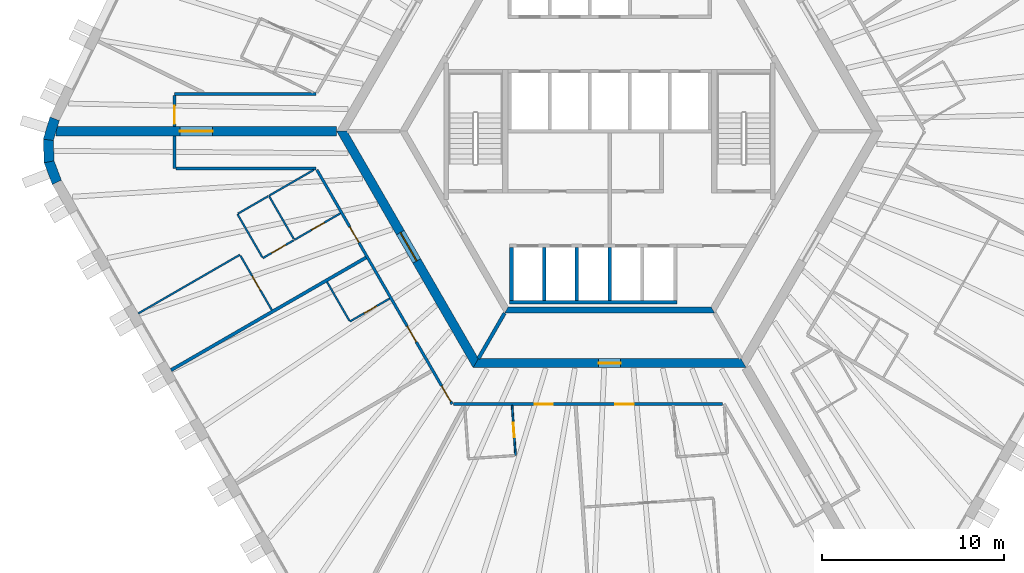
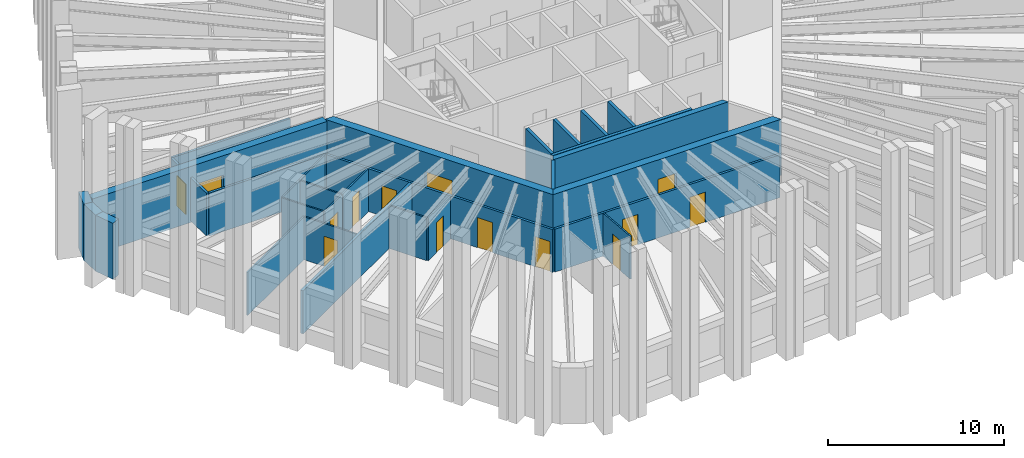
# One storey, part 3 of 10: 31 walls, 14 doors, 14 openings.
"""IFC4 building model written with IfcOpenShell, lengths in metres."""

from ifc_helpers import new_model, si_unit, direction, frame, frame_2d, origin, place, context, subcontext, project, spatial, polyline, rectangle, outline, extrude, material, layer, layer_set, type_object, element, fill, save


model = new_model("IFC4")

# Units and contexts
model_context = context("Model", 3, precision=1e-05, world=origin(), true_north=direction((0.0, 1.0)))
body_context = subcontext(model_context, "Body", "Model", "MODEL_VIEW")
ifc_project = project(units=[si_unit("LENGTHUNIT", "METRE"), si_unit("AREAUNIT", "SQUARE_METRE"), si_unit("VOLUMEUNIT", "CUBIC_METRE"), si_unit("PLANEANGLEUNIT", "RADIAN"), si_unit("MASSUNIT", "GRAM", prefix="KILO")], contexts=[model_context])

# Site, building, storey
site_placement = place(None, origin())
site = spatial("IfcSite", under=ifc_project, at=site_placement, CompositionType="ELEMENT")
building_placement = place(site_placement, origin())
building = spatial("IfcBuilding", under=site, at=building_placement, Name="Tarnside Tower", CompositionType="ELEMENT")
storey_placement = place(building_placement, frame((0.0, 0.0, 164.39990234375)))
storey = spatial("IfcBuildingStorey", under=building, at=storey_placement, Name="L38", CompositionType="ELEMENT", Elevation=164.39990234375)

# Wall
ifc_material_1 = material(Name="Gypsum board partition on steel studs", Category="steel")
ifc_layer_1 = layer(ifc_material_1, 0.10009765625)
ifc_layer_set_1 = layer_set([ifc_layer_1], Name="Bathroom wall 100")
wall_type_1 = type_object("IfcWallType", Name="Bathroom wall 100", PredefinedType="PARTITIONING", material=ifc_layer_set_1)
wall_1_placement = place(storey_placement, frame((-18.735107421875, -3.550048828125, 0.0), z_axis=(0.0, 0.0, 1.0), x_axis=(0.866025820012, 0.499999279071, 0.0)))
element("IfcWall", 1, at=wall_1_placement, inside=storey, type_object=wall_type_1, Name="Bathroom wall 12061", PredefinedType="PARTITIONING", context=body_context, shape_type="SweptSolid", body=[
    extrude(rectangle(XDim=2.85009765625, YDim=0.10009765625, at=frame_2d((1.425048828125, 0.0))), origin(), (0.0, 0.0, 1.0), 2.98779296875),
])

# Wall, opening, door
wall_2_placement = place(storey_placement, frame((-14.802001953125, -4.512451171875, 0.0), z_axis=(0.0, 0.0, 1.0), x_axis=(-0.866025730634, -0.499999433879, 0.0)))
wall_2 = element("IfcWall", 2, at=wall_2_placement, inside=storey, type_object=wall_type_1, Name="Bathroom wall 12062", PredefinedType="PARTITIONING", context=body_context, shape_type="SweptSolid", body=[
    extrude(rectangle(XDim=2.9248046875, YDim=0.10009765625, at=frame_2d((1.46240234375, 0.0))), origin(), (0.0, 0.0, 1.0), 2.98779296875),
])
opening_1_placement = place(wall_2_placement, frame((1.02490234375, 0.0, 0.0)))
opening_1 = element("IfcOpeningElement", 3, at=opening_1_placement, cuts=wall_2, Name="Opening D-B1", PredefinedType="OPENING", context=body_context, shape_type="SweptSolid", body=[
    extrude(rectangle(XDim=0.800048828125, YDim=2.10009765625, at=frame_2d((0.39990234375, 1.050048828125))), frame((0.0, 0.06005859375, 0.0), z_axis=(0.0, -1.0, 0.0), x_axis=(1.0, 0.0, 0.0)), (0.0, 0.0, 1.0), 0.1201171875),
])
ifc_material_2 = material(Name="Timber door leaf", Category="wood")
door_type_1 = type_object("IfcDoorType", Name="Bathroom door 800", OperationType="NOTDEFINED", PredefinedType="DOOR", material=ifc_material_2)
door_1_placement = place(opening_1_placement, origin())
door_1 = element("IfcDoor", 4, at=door_1_placement, inside=storey, type_object=door_type_1, Name="Bathroom door 12011", OperationType="SINGLE_SWING_RIGHT", OverallHeight=2.10009765625, OverallWidth=0.800048828125, PredefinedType="DOOR", context=body_context, shape_type="SweptSolid", body=[
    extrude(rectangle(XDim=0.800048828125, YDim=2.10009765625, at=frame_2d((0.39990234375, 1.050048828125))), frame((0.0, 0.02490234375, 0.0), z_axis=(0.0, -1.0, 0.0), x_axis=(1.0, 0.0, 0.0)), (0.0, 0.0, 1.0), 0.050048828125),
])
fill(opening_1, door_1)

# Wall
wall_3_placement = place(storey_placement, frame((-18.7099609375, -3.59326171875, 0.0), z_axis=(0.0, 0.0, 1.0), x_axis=(0.4999416173, -0.866059108428, 0.0)))
element("IfcWall", 5, at=wall_3_placement, inside=storey, type_object=wall_type_1, Name="Bathroom wall 12070", PredefinedType="PARTITIONING", context=body_context, shape_type="SweptSolid", body=[
    extrude(rectangle(XDim=2.699951171875, YDim=0.10009765625, at=frame_2d((1.35009765625, 0.0))), origin(), (0.0, 0.0, 1.0), 2.98779296875),
])

# Wall, opening, door
wall_4_placement = place(storey_placement, frame((-12.096435546875, -9.198486328125, 0.0), z_axis=(0.0, 0.0, 1.0), x_axis=(-0.866039067339, -0.499976333282, 0.0)))
wall_4 = element("IfcWall", 6, at=wall_4_placement, inside=storey, type_object=wall_type_1, Name="Bathroom wall 12072", PredefinedType="PARTITIONING", context=body_context, shape_type="SweptSolid", body=[
    extrude(rectangle(XDim=2.52490234375, YDim=0.10009765625, at=frame_2d((1.262451171875, 0.0))), origin(), (0.0, 0.0, 1.0), 2.98779296875),
])
opening_2_placement = place(wall_4_placement, frame((0.824951171875, 0.0, 0.0)))
opening_2 = element("IfcOpeningElement", 7, at=opening_2_placement, cuts=wall_4, Name="Opening D-B1", PredefinedType="OPENING", context=body_context, shape_type="SweptSolid", body=[
    extrude(rectangle(XDim=0.800048828125, YDim=2.10009765625, at=frame_2d((0.39990234375, 1.050048828125))), frame((0.0, 0.06005859375, 0.0), z_axis=(0.0, -1.0, 0.0), x_axis=(1.0, 0.0, 0.0)), (0.0, 0.0, 1.0), 0.1201171875),
])
door_2_placement = place(opening_2_placement, origin())
door_2 = element("IfcDoor", 8, at=door_2_placement, inside=storey, type_object=door_type_1, Name="Bathroom door 12015", OperationType="SINGLE_SWING_RIGHT", OverallHeight=2.10009765625, OverallWidth=0.800048828125, PredefinedType="DOOR", context=body_context, shape_type="SweptSolid", body=[
    extrude(rectangle(XDim=0.800048828125, YDim=2.10009765625, at=frame_2d((0.39990234375, 1.050048828125))), frame((0.0, 0.02490234375, 0.0), z_axis=(0.0, -1.0, 0.0), x_axis=(1.0, 0.0, 0.0)), (0.0, 0.0, 1.0), 0.050048828125),
])
fill(opening_2, door_2)

# Wall
wall_5_placement = place(storey_placement, frame((-14.30810546875, -10.417724609375, 0.0), z_axis=(0.0, 0.0, 1.0), x_axis=(-0.499960120811, 0.86604842682, 0.0)))
element("IfcWall", 9, at=wall_5_placement, inside=storey, type_object=wall_type_1, Name="Bathroom wall 12073", PredefinedType="PARTITIONING", context=body_context, shape_type="SweptSolid", body=[
    extrude(rectangle(XDim=2.460205078125, YDim=0.10009765625, at=frame_2d((1.22998046875, 0.0))), origin(), (0.0, 0.0, 1.0), 2.98779296875),
])

# Wall, opening, door
wall_6_placement = place(storey_placement, frame((-5.364013671875, -15.074951171875, 0.0), z_axis=(0.0, 0.0, 1.0), x_axis=(0.06972333312, -0.997566367125, 0.0)))
wall_6 = element("IfcWall", 10, at=wall_6_placement, inside=storey, type_object=wall_type_1, Name="Bathroom wall 12076", PredefinedType="PARTITIONING", context=body_context, shape_type="SweptSolid", body=[
    extrude(rectangle(XDim=2.755615234375, YDim=0.10009765625, at=frame_2d((1.3779296875, 0.0))), origin(), (0.0, 0.0, 1.0), 2.98779296875),
])
opening_3_placement = place(wall_6_placement, frame((0.955810546875, 0.0, 0.0)))
opening_3 = element("IfcOpeningElement", 11, at=opening_3_placement, cuts=wall_6, Name="Opening D-B1", PredefinedType="OPENING", context=body_context, shape_type="SweptSolid", body=[
    extrude(rectangle(XDim=0.800048828125, YDim=2.10009765625, at=frame_2d((0.39990234375, 1.050048828125))), frame((0.0, 0.06005859375, 0.0), z_axis=(0.0, -1.0, 0.0), x_axis=(1.0, 0.0, 0.0)), (0.0, 0.0, 1.0), 0.1201171875),
])
door_3_placement = place(opening_3_placement, origin())
door_3 = element("IfcDoor", 12, at=door_3_placement, inside=storey, type_object=door_type_1, Name="Bathroom door 12018", OperationType="SINGLE_SWING_LEFT", OverallHeight=2.10009765625, OverallWidth=0.800048828125, PredefinedType="DOOR", context=body_context, shape_type="SweptSolid", body=[
    extrude(rectangle(XDim=0.800048828125, YDim=2.10009765625, at=frame_2d((0.39990234375, 1.050048828125))), frame((0.0, 0.02490234375, 0.0), z_axis=(0.0, -1.0, 0.0), x_axis=(1.0, 0.0, 0.0)), (0.0, 0.0, 1.0), 0.050048828125),
])
fill(opening_3, door_3)

# Wall
ifc_material_3 = material(Name="Concrete C50/60", Category="concrete")
ifc_layer_2 = layer(ifc_material_3, 0.35009765625)
ifc_layer_set_2 = layer_set([ifc_layer_2], Name="Core block wall 350 C50/60")
wall_type_2 = type_object("IfcWallType", Name="Core block wall 350 C50/60", PredefinedType="SHEAR", material=ifc_layer_set_2)
wall_7_placement = place(storey_placement, frame((-5.672607421875, -9.824951171875, -0.14990234375), z_axis=(0.0, 0.0, 1.0), x_axis=(1.0, 0.0, 0.0)))
element("IfcWall", 13, at=wall_7_placement, inside=storey, type_object=wall_type_2, Name="L38 core block wall face 4", PredefinedType="SHEAR", context=body_context, shape_type="SweptSolid", body=[
    extrude(outline(polyline([(-0.10107421875, -0.175048828125), (11.4462890625, -0.175048828125), (11.244140625, 0.175048828125), (0.10107421875, 0.175048828125), (-0.10107421875, -0.175048828125)])), origin(), (0.0, 0.0, 1.0), 3.89990234375),
])

# Wall, opening, door
ifc_material_4 = material(Name="Concrete C70/85", Category="concrete")
ifc_layer_3 = layer(ifc_material_4, 0.5)
ifc_layer_set_3 = layer_set([ifc_layer_3], Name="Core wall Z2 500 C70/85")
wall_type_3 = type_object("IfcWallType", Name="Core wall Z2 500 C70/85", PredefinedType="SHEAR", material=ifc_layer_set_3)
wall_8_placement = place(storey_placement, frame((-14.722412109375, 0.0, -0.14990234375), z_axis=(0.0, 0.0, 1.0), x_axis=(0.50000571537, -0.866022103989, 0.0)))
wall_8 = element("IfcWall", 14, at=wall_8_placement, inside=storey, type_object=wall_type_3, Name="L38 core wall face 3", PredefinedType="SHEAR", context=body_context, shape_type="SweptSolid", body=[
    extrude(outline(polyline([(-0.144287109375, -0.25), (14.86669921875, -0.25), (14.578125, 0.25), (0.144287109375, 0.25), (-0.144287109375, -0.25)])), origin(), (0.0, 0.0, 1.0), 3.89990234375),
])
opening_4_placement = place(wall_8_placement, frame((6.432373046875, 0.0, 0.14990234375)))
opening_4 = element("IfcOpeningElement", 15, at=opening_4_placement, cuts=wall_8, Name="Opening CD-FFL", PredefinedType="OPENING", context=body_context, shape_type="SweptSolid", body=[
    extrude(rectangle(XDim=1.800048828125, YDim=2.39990234375, at=frame_2d((0.89990234375, 1.199951171875))), frame((0.0, 0.260009765625, 0.0), z_axis=(0.0, -1.0, 0.0), x_axis=(1.0, 0.0, 0.0)), (0.0, 0.0, 1.0), 0.52001953125),
])
ifc_material_5 = material(Name="Steel fire door", Category="steel")
door_type_2 = type_object("IfcDoorType", Name="Firefighting lobby double door FD60S 1800x2400", OperationType="NOTDEFINED", PredefinedType="DOOR", material=ifc_material_5)
door_4_placement = place(opening_4_placement, origin())
door_4 = element("IfcDoor", 16, at=door_4_placement, inside=storey, type_object=door_type_2, Name="L38 core door P3", OperationType="DOUBLE_DOOR_SINGLE_SWING", OverallHeight=2.39990234375, OverallWidth=1.800048828125, PredefinedType="DOOR", context=body_context, shape_type="SweptSolid", body=[
    extrude(rectangle(XDim=1.800048828125, YDim=2.39990234375, at=frame_2d((0.89990234375, 1.199951171875))), frame((0.0, 0.02490234375, 0.0), z_axis=(0.0, -1.0, 0.0), x_axis=(1.0, 0.0, 0.0)), (0.0, 0.0, 1.0), 0.050048828125),
])
fill(opening_4, door_4)

wall_9_placement = place(storey_placement, frame((-7.361083984375, -12.75, -0.14990234375), z_axis=(0.0, 0.0, 1.0), x_axis=(1.0, 0.0, 0.0)))
wall_9 = element("IfcWall", 17, at=wall_9_placement, inside=storey, type_object=wall_type_3, Name="L38 core wall face 4", PredefinedType="SHEAR", context=body_context, shape_type="SweptSolid", body=[
    extrude(outline(polyline([(-0.144287109375, -0.25), (14.866455078125, -0.25), (14.577880859375, 0.25), (0.144287109375, 0.25), (-0.144287109375, -0.25)])), origin(), (0.0, 0.0, 1.0), 3.89990234375),
])
opening_5_placement = place(wall_9_placement, frame((6.76123046875, 0.0, 0.14990234375)))
opening_5 = element("IfcOpeningElement", 18, at=opening_5_placement, cuts=wall_9, Name="Opening CD-RSR", PredefinedType="OPENING", context=body_context, shape_type="SweptSolid", body=[
    extrude(rectangle(XDim=1.199951171875, YDim=2.39990234375, at=frame_2d((0.60009765625, 1.199951171875))), frame((0.0, 0.260009765625, 0.0), z_axis=(0.0, -1.0, 0.0), x_axis=(1.0, 0.0, 0.0)), (0.0, 0.0, 1.0), 0.52001953125),
])
door_type_3 = type_object("IfcDoorType", Name="Riser door FD60 1200x2400", OperationType="NOTDEFINED", PredefinedType="DOOR", material=ifc_material_5)
door_5_placement = place(opening_5_placement, origin())
door_5 = element("IfcDoor", 19, at=door_5_placement, inside=storey, type_object=door_type_3, Name="L38 core door S6", OperationType="SINGLE_SWING_LEFT", OverallHeight=2.39990234375, OverallWidth=1.199951171875, PredefinedType="DOOR", context=body_context, shape_type="SweptSolid", body=[
    extrude(rectangle(XDim=1.199951171875, YDim=2.39990234375, at=frame_2d((0.60009765625, 1.199951171875))), frame((0.0, 0.02490234375, 0.0), z_axis=(0.0, -1.0, 0.0), x_axis=(1.0, 0.0, 0.0)), (0.0, 0.0, 1.0), 0.050048828125),
])
fill(opening_5, door_5)

wall_10_placement = place(storey_placement, frame((-15.010986328125, 0.0, -0.14990234375), z_axis=(0.0, 0.0, 1.0), x_axis=(-1.0, 0.0, 0.0)))
wall_10 = element("IfcWall", 20, at=wall_10_placement, inside=storey, type_object=wall_type_3, Name="L38 spine wall 2", PredefinedType="SHEAR", context=body_context, shape_type="SweptSolid", body=[
    extrude(rectangle(XDim=15.423828125, YDim=0.5, at=frame_2d((7.7119140625, 0.0))), origin(), (0.0, 0.0, 1.0), 3.89990234375),
])
opening_6_placement = place(wall_10_placement, frame((6.811767578125, 0.0, 0.14990234375)))
opening_6 = element("IfcOpeningElement", 21, at=opening_6_placement, cuts=wall_10, Name="Opening CD-SPN", PredefinedType="OPENING", context=body_context, shape_type="SweptSolid", body=[
    extrude(rectangle(XDim=1.800048828125, YDim=2.39990234375, at=frame_2d((0.89990234375, 1.199951171875))), frame((0.0, 0.260009765625, 0.0), z_axis=(0.0, -1.0, 0.0), x_axis=(1.0, 0.0, 0.0)), (0.0, 0.0, 1.0), 0.52001953125),
])
door_type_4 = type_object("IfcDoorType", Name="Spine passage double door FD60 1800x2400", OperationType="NOTDEFINED", PredefinedType="DOOR", material=ifc_material_5)
door_6_placement = place(opening_6_placement, origin())
door_6 = element("IfcDoor", 22, at=door_6_placement, inside=storey, type_object=door_type_4, Name="L38 spine passage door 2", OperationType="DOUBLE_DOOR_SINGLE_SWING", OverallHeight=2.39990234375, OverallWidth=1.800048828125, PredefinedType="DOOR", context=body_context, shape_type="SweptSolid", body=[
    extrude(rectangle(XDim=1.800048828125, YDim=2.39990234375, at=frame_2d((0.89990234375, 1.199951171875))), frame((0.0, 0.02490234375, 0.0), z_axis=(0.0, -1.0, 0.0), x_axis=(1.0, 0.0, 0.0)), (0.0, 0.0, 1.0), 0.050048828125),
])
fill(opening_6, door_6)

# Wall
ifc_layer_4 = layer(ifc_material_1, 0.14990234375)
ifc_layer_set_4 = layer_set([ifc_layer_4], Name="Corridor wall 150 EI 60")
wall_type_4 = type_object("IfcWallType", Name="Corridor wall 150 EI 60", PredefinedType="PARTITIONING", material=ifc_layer_set_4)
wall_11_placement = place(storey_placement, frame((-16.136962890625, 2.050048828125, 0.0), z_axis=(0.0, 0.0, 1.0), x_axis=(-1.0, 0.0, 0.0)))
element("IfcWall", 23, at=wall_11_placement, inside=storey, type_object=wall_type_4, Name="Corridor wall 12009", PredefinedType="PARTITIONING", context=body_context, shape_type="SweptSolid", body=[
    extrude(rectangle(XDim=7.785888671875, YDim=0.14990234375, at=frame_2d((3.89306640625, 0.0))), origin(), (0.0, 0.0, 1.0), 2.98779296875),
])

# Wall, opening, door
wall_12_placement = place(storey_placement, frame((-23.9228515625, 1.97509765625, 0.0), z_axis=(0.0, 0.0, 1.0), x_axis=(0.0, -1.0, 0.0)))
wall_12 = element("IfcWall", 24, at=wall_12_placement, inside=storey, type_object=wall_type_4, Name="Corridor wall 12013", PredefinedType="PARTITIONING", context=body_context, shape_type="SweptSolid", body=[
    extrude(rectangle(XDim=1.72509765625, YDim=0.14990234375, at=frame_2d((0.862548828125, 0.0))), origin(), (0.0, 0.0, 1.0), 2.98779296875),
])
opening_7_placement = place(wall_12_placement, frame((0.574951171875, 0.0, 0.0)))
opening_7 = element("IfcOpeningElement", 25, at=opening_7_placement, cuts=wall_12, Name="Opening D-E1", PredefinedType="OPENING", context=body_context, shape_type="SweptSolid", body=[
    extrude(rectangle(XDim=1.0, YDim=2.10009765625, at=frame_2d((0.5, 1.050048828125))), frame((0.0, 0.0849609375, 0.0), z_axis=(0.0, -1.0, 0.0), x_axis=(1.0, 0.0, 0.0)), (0.0, 0.0, 1.0), 0.169921875),
])
door_type_5 = type_object("IfcDoorType", Name="Unit entrance door 1000 FD30S", OperationType="NOTDEFINED", PredefinedType="DOOR", material=ifc_material_2)
door_7_placement = place(opening_7_placement, origin())
door_7 = element("IfcDoor", 26, at=door_7_placement, inside=storey, type_object=door_type_5, Name="Unit door 12009", OperationType="SINGLE_SWING_LEFT", OverallHeight=2.10009765625, OverallWidth=1.0, PredefinedType="DOOR", context=body_context, shape_type="SweptSolid", body=[
    extrude(rectangle(XDim=1.0, YDim=2.10009765625, at=frame_2d((0.5, 1.050048828125))), frame((0.0, 0.02490234375, 0.0), z_axis=(0.0, -1.0, 0.0), x_axis=(1.0, 0.0, 0.0)), (0.0, 0.0, 1.0), 0.050048828125),
])
fill(opening_7, door_7)

# Walls
wall_13_placement = place(storey_placement, frame((-23.9228515625, -0.25, 0.0), z_axis=(0.0, 0.0, 1.0), x_axis=(0.0, -1.0, 0.0)))
element("IfcWall", 27, at=wall_13_placement, inside=storey, type_object=wall_type_4, Name="Corridor wall 12014", PredefinedType="PARTITIONING", context=body_context, shape_type="SweptSolid", body=[
    extrude(rectangle(XDim=1.800048828125, YDim=0.14990234375, at=frame_2d((0.89990234375, 0.0))), origin(), (0.0, 0.0, 1.0), 2.98779296875),
])
wall_14_placement = place(storey_placement, frame((-23.847900390625, -2.050048828125, 0.0), z_axis=(0.0, 0.0, 1.0), x_axis=(1.0, 0.0, 0.0)))
element("IfcWall", 28, at=wall_14_placement, inside=storey, type_object=wall_type_4, Name="Corridor wall 12015", PredefinedType="PARTITIONING", context=body_context, shape_type="SweptSolid", body=[
    extrude(rectangle(XDim=7.7109375, YDim=0.14990234375, at=frame_2d((3.85546875, 0.0))), origin(), (0.0, 0.0, 1.0), 2.98779296875),
])

# Wall, openings, doors
wall_15_placement = place(storey_placement, frame((-16.09375, -2.125, 0.0), z_axis=(0.0, 0.0, 1.0), x_axis=(0.500010545262, -0.866019315389, 0.0)))
wall_15 = element("IfcWall", 29, at=wall_15_placement, inside=storey, type_object=wall_type_4, Name="Corridor wall 12016", PredefinedType="PARTITIONING", context=body_context, shape_type="SweptSolid", body=[
    extrude(rectangle(XDim=14.866943359375, YDim=0.14990234375, at=frame_2d((7.43359375, 0.0))), origin(), (0.0, 0.0, 1.0), 2.98779296875),
])
opening_8_placement = place(wall_15_placement, frame((3.618896484375, 0.0, 0.0)))
opening_8 = element("IfcOpeningElement", 30, at=opening_8_placement, cuts=wall_15, Name="Opening D-E1", PredefinedType="OPENING", context=body_context, shape_type="SweptSolid", body=[
    extrude(rectangle(XDim=1.0, YDim=2.10009765625, at=frame_2d((0.5, 1.050048828125))), frame((0.0, 0.0849609375, 0.0), z_axis=(0.0, -1.0, 0.0), x_axis=(1.0, 0.0, 0.0)), (0.0, 0.0, 1.0), 0.169921875),
])
opening_9_placement = place(wall_15_placement, frame((9.92431640625, 0.0, 0.0)))
opening_9 = element("IfcOpeningElement", 31, at=opening_9_placement, cuts=wall_15, Name="Opening D-E1", PredefinedType="OPENING", context=body_context, shape_type="SweptSolid", body=[
    extrude(rectangle(XDim=1.0, YDim=2.10009765625, at=frame_2d((0.5, 1.050048828125))), frame((0.0, 0.0849609375, 0.0), z_axis=(0.0, -1.0, 0.0), x_axis=(1.0, 0.0, 0.0)), (0.0, 0.0, 1.0), 0.169921875),
])
opening_10_placement = place(wall_15_placement, frame((13.716796875, 0.0, 0.0)))
opening_10 = element("IfcOpeningElement", 32, at=opening_10_placement, cuts=wall_15, Name="Opening D-E1", PredefinedType="OPENING", context=body_context, shape_type="SweptSolid", body=[
    extrude(rectangle(XDim=1.0, YDim=2.10009765625, at=frame_2d((0.5, 1.050048828125))), frame((0.0, 0.0849609375, 0.0), z_axis=(0.0, -1.0, 0.0), x_axis=(1.0, 0.0, 0.0)), (0.0, 0.0, 1.0), 0.169921875),
])
door_8_placement = place(opening_8_placement, origin())
door_8 = element("IfcDoor", 33, at=door_8_placement, inside=storey, type_object=door_type_5, Name="Unit door 12010", OperationType="SINGLE_SWING_RIGHT", OverallHeight=2.10009765625, OverallWidth=1.0, PredefinedType="DOOR", context=body_context, shape_type="SweptSolid", body=[
    extrude(rectangle(XDim=1.0, YDim=2.10009765625, at=frame_2d((0.5, 1.050048828125))), frame((0.0, 0.02490234375, 0.0), z_axis=(0.0, -1.0, 0.0), x_axis=(1.0, 0.0, 0.0)), (0.0, 0.0, 1.0), 0.050048828125),
])
fill(opening_8, door_8)
door_9_placement = place(opening_9_placement, origin())
door_9 = element("IfcDoor", 34, at=door_9_placement, inside=storey, type_object=door_type_5, Name="Unit door 12014", OperationType="SINGLE_SWING_RIGHT", OverallHeight=2.10009765625, OverallWidth=1.0, PredefinedType="DOOR", context=body_context, shape_type="SweptSolid", body=[
    extrude(rectangle(XDim=1.0, YDim=2.10009765625, at=frame_2d((0.5, 1.050048828125))), frame((0.0, 0.02490234375, 0.0), z_axis=(0.0, -1.0, 0.0), x_axis=(1.0, 0.0, 0.0)), (0.0, 0.0, 1.0), 0.050048828125),
])
fill(opening_9, door_9)
door_10_placement = place(opening_10_placement, origin())
door_10 = element("IfcDoor", 35, at=door_10_placement, inside=storey, type_object=door_type_5, Name="Unit door 12016", OperationType="SINGLE_SWING_LEFT", OverallHeight=2.10009765625, OverallWidth=1.0, PredefinedType="DOOR", context=body_context, shape_type="SweptSolid", body=[
    extrude(rectangle(XDim=1.0, YDim=2.10009765625, at=frame_2d((0.5, 1.050048828125))), frame((0.0, 0.02490234375, 0.0), z_axis=(0.0, -1.0, 0.0), x_axis=(1.0, 0.0, 0.0)), (0.0, 0.0, 1.0), 0.050048828125),
])
fill(opening_10, door_10)

wall_16_placement = place(storey_placement, frame((-8.57373046875, -15.0, 0.0), z_axis=(0.0, 0.0, 1.0), x_axis=(1.0, 0.0, 0.0)))
wall_16 = element("IfcWall", 36, at=wall_16_placement, inside=storey, type_object=wall_type_4, Name="Corridor wall 12021", PredefinedType="PARTITIONING", context=body_context, shape_type="SweptSolid", body=[
    extrude(rectangle(XDim=14.7802734375, YDim=0.14990234375, at=frame_2d((7.39013671875, 0.0))), origin(), (0.0, 0.0, 1.0), 2.98779296875),
])
opening_11_placement = place(wall_16_placement, frame((4.444580078125, 0.0, 0.0)))
opening_11 = element("IfcOpeningElement", 37, at=opening_11_placement, cuts=wall_16, Name="Opening D-E1", PredefinedType="OPENING", context=body_context, shape_type="SweptSolid", body=[
    extrude(rectangle(XDim=1.0, YDim=2.10009765625, at=frame_2d((0.5, 1.050048828125))), frame((0.0, 0.0849609375, 0.0), z_axis=(0.0, -1.0, 0.0), x_axis=(1.0, 0.0, 0.0)), (0.0, 0.0, 1.0), 0.169921875),
])
opening_12_placement = place(wall_16_placement, frame((8.885498046875, 0.0, 0.0)))
opening_12 = element("IfcOpeningElement", 38, at=opening_12_placement, cuts=wall_16, Name="Opening D-E1", PredefinedType="OPENING", context=body_context, shape_type="SweptSolid", body=[
    extrude(rectangle(XDim=1.0, YDim=2.10009765625, at=frame_2d((0.5, 1.050048828125))), frame((0.0, 0.0849609375, 0.0), z_axis=(0.0, -1.0, 0.0), x_axis=(1.0, 0.0, 0.0)), (0.0, 0.0, 1.0), 0.169921875),
])
door_11_placement = place(opening_11_placement, origin())
door_11 = element("IfcDoor", 39, at=door_11_placement, inside=storey, type_object=door_type_5, Name="Unit door 12017", OperationType="SINGLE_SWING_LEFT", OverallHeight=2.10009765625, OverallWidth=1.0, PredefinedType="DOOR", context=body_context, shape_type="SweptSolid", body=[
    extrude(rectangle(XDim=1.0, YDim=2.10009765625, at=frame_2d((0.5, 1.050048828125))), frame((0.0, 0.02490234375, 0.0), z_axis=(0.0, -1.0, 0.0), x_axis=(1.0, 0.0, 0.0)), (0.0, 0.0, 1.0), 0.050048828125),
])
fill(opening_11, door_11)
door_12_placement = place(opening_12_placement, origin())
door_12 = element("IfcDoor", 40, at=door_12_placement, inside=storey, type_object=door_type_5, Name="Unit door 12019", OperationType="SINGLE_SWING_RIGHT", OverallHeight=2.10009765625, OverallWidth=1.0, PredefinedType="DOOR", context=body_context, shape_type="SweptSolid", body=[
    extrude(rectangle(XDim=1.0, YDim=2.10009765625, at=frame_2d((0.5, 1.050048828125))), frame((0.0, 0.02490234375, 0.0), z_axis=(0.0, -1.0, 0.0), x_axis=(1.0, 0.0, 0.0)), (0.0, 0.0, 1.0), 0.050048828125),
])
fill(opening_12, door_12)

# Walls
ifc_layer_5 = layer(ifc_material_1, 0.179931640625)
ifc_layer_set_5 = layer_set([ifc_layer_5], Name="Demising wall 180 EI 60")
wall_type_5 = type_object("IfcWallType", Name="Demising wall 180 EI 60", PredefinedType="PARTITIONING", material=ifc_layer_set_5)
wall_17_placement = place(storey_placement, frame((-24.113525390625, -13.13427734375, 0.0), z_axis=(0.0, 0.0, 1.0), x_axis=(0.866024931941, 0.500000817256, 0.0)))
element("IfcWall", 41, at=wall_17_placement, inside=storey, type_object=wall_type_5, Name="Demising wall 12068", PredefinedType="PARTITIONING", context=body_context, shape_type="SweptSolid", body=[
    extrude(rectangle(XDim=12.375, YDim=0.179931640625, at=frame_2d((6.1875, 0.0))), origin(), (0.0, 0.0, 1.0), 2.98779296875),
])
ifc_material_6 = material(Name="Concrete C40/50", Category="concrete")
ifc_layer_6 = layer(ifc_material_6, 0.199951171875)
ifc_layer_set_6 = layer_set([ifc_layer_6], Name="Lift shaft wall 200 C40/50")
wall_type_6 = type_object("IfcWallType", Name="Lift shaft wall 200 C40/50", PredefinedType="SHEAR", material=ifc_layer_set_6)
wall_18_placement = place(storey_placement, frame((-5.5, -9.39990234375, -0.25), z_axis=(0.0, 0.0, 1.0), x_axis=(1.0, 0.0, 0.0)))
element("IfcWall", 42, at=wall_18_placement, inside=storey, type_object=wall_type_6, Name="L38 lift shaft back wall R4", PredefinedType="SHEAR", context=body_context, shape_type="SweptSolid", body=[
    extrude(rectangle(XDim=9.199951171875, YDim=0.199951171875, at=frame_2d((4.60009765625, 0.0))), origin(), (0.0, 0.0, 1.0), 3.900146484375),
])
for number, where, z_axis, x_axis, name in (
    (43, (-5.39990234375, -9.300048828125, -0.25), (0.0, 0.0, 1.0), (0.0, 1.0, 0.0), "L38 lift shaft partition R41"),
    (44, (-3.60009765625, -9.300048828125, -0.25), (0.0, 0.0, 1.0), (0.0, 1.0, 0.0), "L38 lift shaft partition R42"),
    (45, (-1.800048828125, -9.300048828125, -0.25), (0.0, 0.0, 1.0), (0.0, 1.0, 0.0), "L38 lift shaft partition R43"),
    (46, (0.0, -9.300048828125, -0.25), (0.0, 0.0, 1.0), (0.0, 1.0, 0.0), "L38 lift shaft partition R44"),
):
    element("IfcWall", number, at=place(storey_placement, frame(where, z_axis=z_axis, x_axis=x_axis)), inside=storey, type_object=wall_type_6, Name=name, PredefinedType="SHEAR", context=body_context, shape_type="SweptSolid", body=[
        extrude(rectangle(XDim=2.900146484375, YDim=0.199951171875, at=frame_2d((1.4501953125, 0.0))), origin(), (0.0, 0.0, 1.0), 3.900146484375),
    ])
wall_19_placement = place(storey_placement, frame((-5.7734375, -10.0, -0.14990234375), z_axis=(0.0, 0.0, 1.0), x_axis=(-0.499995765644, -0.866027848477, 0.0)))
element("IfcWall", 47, at=wall_19_placement, inside=storey, type_object=wall_type_6, Name="L38 core partition AR240", PredefinedType="SHEAR", context=body_context, shape_type="SweptSolid", body=[
    extrude(rectangle(XDim=2.88671875, YDim=0.199951171875, at=frame_2d((1.443359375, 0.0))), origin(), (0.0, 0.0, 1.0), 3.89990234375),
])

# Wall, opening, door
ifc_layer_7 = layer(ifc_material_1, 0.10009765625)
ifc_layer_set_7 = layer_set([ifc_layer_7], Name="Partition 100")
wall_type_7 = type_object("IfcWallType", Name="Partition 100", PredefinedType="PARTITIONING", material=ifc_layer_set_7)
wall_20_placement = place(storey_placement, frame((-17.37841796875, -5.999755859375, 0.0), z_axis=(0.0, 0.0, 1.0), x_axis=(-0.866000020948, -0.500043961785, 0.0)))
wall_20 = element("IfcWall", 48, at=wall_20_placement, inside=storey, type_object=wall_type_7, Name="Partition wall 12063", PredefinedType="PARTITIONING", context=body_context, shape_type="SweptSolid", body=[
    extrude(rectangle(XDim=1.949951171875, YDim=0.10009765625, at=frame_2d((0.97509765625, 0.0))), origin(), (0.0, 0.0, 1.0), 2.98779296875),
])
opening_13_placement = place(wall_20_placement, frame((0.5, 0.0, 0.0)))
opening_13 = element("IfcOpeningElement", 49, at=opening_13_placement, cuts=wall_20, Name="Opening D-I1", PredefinedType="OPENING", context=body_context, shape_type="SweptSolid", body=[
    extrude(rectangle(XDim=0.89990234375, YDim=2.10009765625, at=frame_2d((0.449951171875, 1.050048828125))), frame((0.0, 0.06005859375, 0.0), z_axis=(0.0, -1.0, 0.0), x_axis=(1.0, 0.0, 0.0)), (0.0, 0.0, 1.0), 0.1201171875),
])
door_type_6 = type_object("IfcDoorType", Name="Internal door 900", OperationType="NOTDEFINED", PredefinedType="DOOR", material=ifc_material_2)
door_13_placement = place(opening_13_placement, origin())
door_13 = element("IfcDoor", 50, at=door_13_placement, inside=storey, type_object=door_type_6, Name="Internal door 12012", OperationType="SINGLE_SWING_RIGHT", OverallHeight=2.10009765625, OverallWidth=0.89990234375, PredefinedType="DOOR", context=body_context, shape_type="SweptSolid", body=[
    extrude(rectangle(XDim=0.89990234375, YDim=2.10009765625, at=frame_2d((0.449951171875, 1.050048828125))), frame((0.0, 0.02490234375, 0.0), z_axis=(0.0, -1.0, 0.0), x_axis=(1.0, 0.0, 0.0)), (0.0, 0.0, 1.0), 0.050048828125),
])
fill(opening_13, door_13)

# Walls
wall_21_placement = place(storey_placement, frame((-19.092041015625, -6.931640625, 0.0), z_axis=(0.0, 0.0, 1.0), x_axis=(-0.499996545922, 0.866027397988, 0.0)))
element("IfcWall", 51, at=wall_21_placement, inside=storey, type_object=wall_type_7, Name="Partition wall 12064", PredefinedType="PARTITIONING", context=body_context, shape_type="SweptSolid", body=[
    extrude(rectangle(XDim=2.75, YDim=0.10009765625, at=frame_2d((1.375, 0.0))), origin(), (0.0, 0.0, 1.0), 2.98779296875),
])
wall_22_placement = place(storey_placement, frame((-20.423828125, -4.52490234375, 0.0), z_axis=(0.0, 0.0, 1.0), x_axis=(0.866044365799, 0.499967155389, 0.0)))
element("IfcWall", 52, at=wall_22_placement, inside=storey, type_object=wall_type_7, Name="Partition wall 12065", PredefinedType="PARTITIONING", context=body_context, shape_type="SweptSolid", body=[
    extrude(rectangle(XDim=1.900146484375, YDim=0.10009765625, at=frame_2d((0.9501953125, 0.0))), origin(), (0.0, 0.0, 1.0), 2.98779296875),
])
wall_23_placement = place(storey_placement, frame((-25.91357421875, -10.0166015625, 0.0), z_axis=(0.0, 0.0, 1.0), x_axis=(0.866021702275, 0.500006411147, 0.0)))
element("IfcWall", 53, at=wall_23_placement, inside=storey, type_object=wall_type_7, Name="Partition wall 12066", PredefinedType="PARTITIONING", context=body_context, shape_type="SweptSolid", body=[
    extrude(rectangle(XDim=6.4501953125, YDim=0.10009765625, at=frame_2d((3.22509765625, 0.0))), origin(), (0.0, 0.0, 1.0), 2.98779296875),
])

# Wall, opening, door
wall_24_placement = place(storey_placement, frame((-20.302490234375, -6.8349609375, 0.0), z_axis=(0.0, 0.0, 1.0), x_axis=(0.500009533716, -0.866019899421, 0.0)))
wall_24 = element("IfcWall", 54, at=wall_24_placement, inside=storey, type_object=wall_type_7, Name="Partition wall 12067", PredefinedType="PARTITIONING", context=body_context, shape_type="SweptSolid", body=[
    extrude(rectangle(XDim=3.4599609375, YDim=0.10009765625, at=frame_2d((1.72998046875, 0.0))), origin(), (0.0, 0.0, 1.0), 2.98779296875),
])
opening_14_placement = place(wall_24_placement, frame((1.300048828125, 0.0, 0.0)))
opening_14 = element("IfcOpeningElement", 55, at=opening_14_placement, cuts=wall_24, Name="Opening D-I1", PredefinedType="OPENING", context=body_context, shape_type="SweptSolid", body=[
    extrude(rectangle(XDim=0.89990234375, YDim=2.10009765625, at=frame_2d((0.449951171875, 1.050048828125))), frame((0.0, 0.06005859375, 0.0), z_axis=(0.0, -1.0, 0.0), x_axis=(1.0, 0.0, 0.0)), (0.0, 0.0, 1.0), 0.1201171875),
])
door_14_placement = place(opening_14_placement, origin())
door_14 = element("IfcDoor", 56, at=door_14_placement, inside=storey, type_object=door_type_6, Name="Internal door 12013", OperationType="SINGLE_SWING_RIGHT", OverallHeight=2.10009765625, OverallWidth=0.89990234375, PredefinedType="DOOR", context=body_context, shape_type="SweptSolid", body=[
    extrude(rectangle(XDim=0.89990234375, YDim=2.10009765625, at=frame_2d((0.449951171875, 1.050048828125))), frame((0.0, 0.02490234375, 0.0), z_axis=(0.0, -1.0, 0.0), x_axis=(1.0, 0.0, 0.0)), (0.0, 0.0, 1.0), 0.050048828125),
])
fill(opening_14, door_14)

# Walls
ifc_material_7 = material(Name="Facing brick", Category="masonry")
ifc_layer_8 = layer(ifc_material_7, 0.10205078125)
ifc_material_8 = material(Name="Concrete C60/75 precast", Category="concrete")
ifc_layer_9 = layer(ifc_material_8, 0.347900390625)
ifc_material_9 = material(Name="Mineral wool insulation")
ifc_layer_10 = layer(ifc_material_9, 0.10009765625)
ifc_layer_set_8 = layer_set([ifc_layer_8, ifc_layer_9, ifc_layer_10], Name="Tube wall 550 brick faced")
wall_type_8 = type_object("IfcWallType", Name="Tube wall 550 brick faced", PredefinedType="SOLIDWALL", material=ifc_layer_set_8)
wall_25_placement = place(storey_placement, frame((-30.51318359375, 0.684326171875, -0.14990234375), z_axis=(0.0, 0.0, 1.0), x_axis=(-0.286736058109, -0.958009620505, 0.0)))
element("IfcWall", 57, at=wall_25_placement, inside=storey, type_object=wall_type_8, Name="Tube wall L38 F2 chord 05", PredefinedType="SOLIDWALL", context=body_context, shape_type="SweptSolid", body=[
    extrude(outline(polyline([(-0.0224609375, -0.27490234375), (1.25341796875, -0.27490234375), (1.1630859375, 0.27490234375), (0.0224609375, 0.27490234375), (-0.0224609375, -0.27490234375)])), origin(), (0.0, 0.0, 1.0), 3.89990234375),
])
wall_26_placement = place(storey_placement, frame((-30.859619140625, -0.47314453125, -0.14990234375), z_axis=(0.0, 0.0, 1.0), x_axis=(0.03495638276, -0.999388838893, 0.0)))
element("IfcWall", 58, at=wall_26_placement, inside=storey, type_object=wall_type_8, Name="Tube wall L38 F2 chord 06", PredefinedType="SOLIDWALL", context=body_context, shape_type="SweptSolid", body=[
    extrude(outline(polyline([(-0.045166015625, -0.27490234375), (1.25341796875, -0.27490234375), (1.1630859375, 0.27490234375), (0.045166015625, 0.27490234375), (-0.045166015625, -0.27490234375)])), origin(), (0.0, 0.0, 1.0), 3.89990234375),
])
wall_27_placement = place(storey_placement, frame((-30.8173828125, -1.6806640625, -0.14990234375), z_axis=(0.0, 0.0, 1.0), x_axis=(0.352850303963, -0.935679786569, 0.0)))
element("IfcWall", 59, at=wall_27_placement, inside=storey, type_object=wall_type_8, Name="Tube wall L38 F2 chord 07", PredefinedType="SOLIDWALL", context=body_context, shape_type="SweptSolid", body=[
    extrude(outline(polyline([(-0.045166015625, -0.27490234375), (1.23046875, -0.27490234375), (1.185546875, 0.27490234375), (0.045166015625, 0.27490234375), (-0.045166015625, -0.27490234375)])), origin(), (0.0, 0.0, 1.0), 3.89990234375),
])

save(model, "model.ifc")
